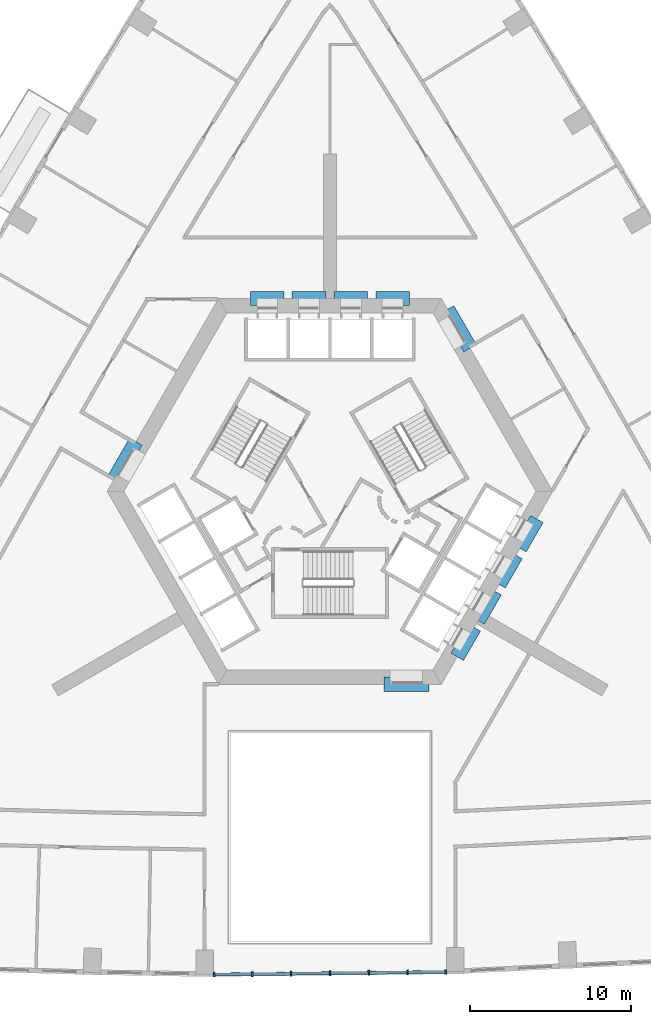
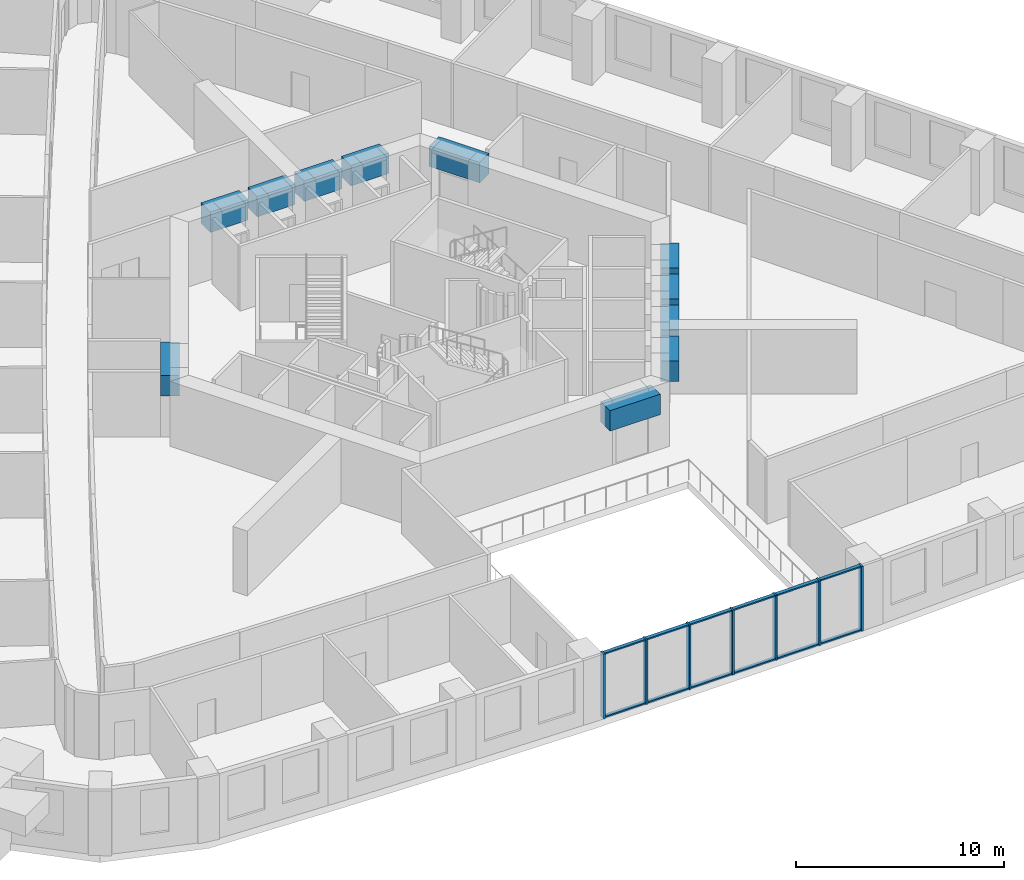
# One storey, part 2 of 15: 19 members, 11 beams, 1 element without a shape of its own.
"""IFC4 building model written with IfcOpenShell, lengths in metres."""

from ifc_helpers import new_model, si_unit, direction, frame, origin, origin_2d, place, context, subcontext, project, spatial, rectangle, extrude, material, material_profile, profile_set, type_object, element, aggregate, save


model = new_model("IFC4")

# Units and contexts
model_context = context("Model", 3, precision=1e-05, world=origin(), true_north=direction((0.0, 1.0)))
body_context = subcontext(model_context, "Body", "Model", "MODEL_VIEW")
ifc_project = project(units=[si_unit("LENGTHUNIT", "METRE"), si_unit("AREAUNIT", "SQUARE_METRE"), si_unit("VOLUMEUNIT", "CUBIC_METRE"), si_unit("PLANEANGLEUNIT", "RADIAN"), si_unit("MASSUNIT", "GRAM", prefix="KILO")], contexts=[model_context])

# Site, building, storey
site_placement = place(None, origin())
site = spatial("IfcSite", under=ifc_project, at=site_placement, CompositionType="ELEMENT")
building_placement = place(site_placement, origin())
building = spatial("IfcBuilding", under=site, at=building_placement, Name="Entoto Arch Interchange Tower", CompositionType="ELEMENT")
storey_placement = place(building_placement, frame((0.0, 0.0, 120.199951171875)))
storey = spatial("IfcBuildingStorey", under=building, at=storey_placement, Name="L26", CompositionType="ELEMENT", Elevation=120.199951171875)

# Beams
ifc_material_1 = material(Name="Concrete C60/75", Category="concrete")
ifc_material_profile_1 = material_profile(ifc_material_1, rectangle(XDim=0.89990234375, YDim=1.199951171875, at=origin_2d()))
ifc_profile_set_1 = profile_set([ifc_material_profile_1], Name="Concrete C60/75")
beam_type = type_object("IfcBeamType", Name="Coupling beam RC 900x1200 C60/75", PredefinedType="BEAM", material=ifc_profile_set_1)
beam_1_placement = place(storey_placement, frame((8.717041015625, 11.402099609375, 3.0), z_axis=(-0.500200581029, 0.865909567298, 0.0), x_axis=(-0.865909567298, -0.500200581029, 0.0)))
element("IfcBeam", 1, at=beam_1_placement, inside=storey, type_object=beam_type, Name="Coupling beam NE L26", PredefinedType="BEAM", context=body_context, shape_type="SweptSolid", body=[
    extrude(rectangle(XDim=0.89990234375, YDim=1.199951171875, at=origin_2d()), origin(), (0.0, 0.0, 1.0), 2.799072265625),
])
beam_2_placement = place(storey_placement, frame((4.949951171875, 14.5, 3.0), z_axis=(-1.0, 0.0, 0.0), x_axis=(0.0, -1.0, 0.0)))
element("IfcBeam", 2, at=beam_2_placement, inside=storey, type_object=beam_type, Name="Coupling beam N L26", PredefinedType="BEAM", context=body_context, shape_type="SweptSolid", body=[
    extrude(rectangle(XDim=0.89990234375, YDim=1.199951171875, at=origin_2d()), origin(), (0.0, 0.0, 1.0), 2.099853515625),
])
for number, where, z_axis, x_axis, name in (
    (3, (2.35009765625, 14.5, 3.0), (-1.0, 0.0, 0.0), (0.0, -1.0, 0.0), "Coupling beam N L26"),
    (4, (-0.25, 14.5, 3.0), (-1.0, 0.0, 0.0), (0.0, -1.0, 0.0), "Coupling beam N L26"),
):
    element("IfcBeam", number, at=place(storey_placement, frame(where, z_axis=z_axis, x_axis=x_axis)), inside=storey, type_object=beam_type, Name=name, PredefinedType="BEAM", context=body_context, shape_type="SweptSolid", body=[
        extrude(rectangle(XDim=0.89990234375, YDim=1.199951171875, at=origin_2d()), origin(), (0.0, 0.0, 1.0), 2.10009765625),
    ])
beam_3_placement = place(storey_placement, frame((-2.85009765625, 14.5, 3.0), z_axis=(-1.0, 0.0, 0.0), x_axis=(0.0, -1.0, 0.0)))
element("IfcBeam", 5, at=beam_3_placement, inside=storey, type_object=beam_type, Name="Coupling beam N L26", PredefinedType="BEAM", context=body_context, shape_type="SweptSolid", body=[
    extrude(rectangle(XDim=0.89990234375, YDim=1.199951171875, at=origin_2d()), origin(), (0.0, 0.0, 1.0), 2.099853515625),
])
beam_4_placement = place(storey_placement, frame((-12.06689453125, 5.597900390625, 3.0), z_axis=(-0.500200581029, -0.865909567298, 0.0), x_axis=(0.865909567298, -0.500200581029, 0.0)))
element("IfcBeam", 6, at=beam_4_placement, inside=storey, type_object=beam_type, Name="Coupling beam NW L26", PredefinedType="BEAM", context=body_context, shape_type="SweptSolid", body=[
    extrude(rectangle(XDim=0.89990234375, YDim=1.199951171875, at=origin_2d()), origin(), (0.0, 0.0, 1.0), 2.799072265625),
])
beam_5_placement = place(storey_placement, frame((3.35009765625, -9.5, 3.0), z_axis=(1.0, 0.0, 0.0), x_axis=(0.0, 1.0, 0.0)))
element("IfcBeam", 7, at=beam_5_placement, inside=storey, type_object=beam_type, Name="Coupling beam S L26", PredefinedType="BEAM", context=body_context, shape_type="SweptSolid", body=[
    extrude(rectangle(XDim=0.89990234375, YDim=1.199951171875, at=origin_2d()), origin(), (0.0, 0.0, 1.0), 2.7998046875),
])
for number, where, z_axis, x_axis, name in (
    (8, (7.9169921875, -7.785888671875, 3.0), (0.500178781653, 0.865922159541, 0.0), (-0.865922159541, 0.500178781653, 0.0), "Coupling beam SE L26"),
    (9, (9.217041015625, -5.534912109375, 3.0), (0.500178781653, 0.865922159541, 0.0), (-0.865922159541, 0.500178781653, 0.0), "Coupling beam SE L26"),
):
    element("IfcBeam", number, at=place(storey_placement, frame(where, z_axis=z_axis, x_axis=x_axis)), inside=storey, type_object=beam_type, Name=name, PredefinedType="BEAM", context=body_context, shape_type="SweptSolid", body=[
        extrude(rectangle(XDim=0.89990234375, YDim=1.199951171875, at=origin_2d()), origin(), (0.0, 0.0, 1.0), 2.099365234375),
    ])
beam_6_placement = place(storey_placement, frame((10.51708984375, -3.282958984375, 3.0), z_axis=(0.500091574638, 0.865972526687, 0.0), x_axis=(-0.865972526687, 0.500091574638, 0.0)))
element("IfcBeam", 10, at=beam_6_placement, inside=storey, type_object=beam_type, Name="Coupling beam SE L26", PredefinedType="BEAM", context=body_context, shape_type="SweptSolid", body=[
    extrude(rectangle(XDim=0.89990234375, YDim=1.199951171875, at=origin_2d()), origin(), (0.0, 0.0, 1.0), 2.09912109375),
])
beam_7_placement = place(storey_placement, frame((11.81689453125, -1.031982421875, 3.0), z_axis=(0.500178781653, 0.865922159541, 0.0), x_axis=(-0.865922159541, 0.500178781653, 0.0)))
element("IfcBeam", 11, at=beam_7_placement, inside=storey, type_object=beam_type, Name="Coupling beam SE L26", PredefinedType="BEAM", context=body_context, shape_type="SweptSolid", body=[
    extrude(rectangle(XDim=0.89990234375, YDim=1.199951171875, at=origin_2d()), origin(), (0.0, 0.0, 1.0), 2.099365234375),
])

# Curtain wall, members
ifc_material_2 = material(Name="Aluminium, anodised", Category="aluminium")
curtain_wall_type = type_object("IfcCurtainWallType", Name="CURTAIN WALL ATRIUM", PredefinedType="NOTDEFINED", material=ifc_material_2)
curtain_wall_placement = place(storey_placement, origin())
curtain_wall = element("IfcCurtainWall", 12, at=curtain_wall_placement, inside=storey, type_object=curtain_wall_type, Name="Atrium glazing S-04 L26", PredefinedType="NOTDEFINED")
ifc_material_profile_2 = material_profile(ifc_material_2, rectangle(XDim=0.300048828125, YDim=0.10009765625, at=origin_2d()))
ifc_profile_set_2 = profile_set([ifc_material_profile_2], Name="Aluminium, anodised")
member_type_1 = type_object("IfcMemberType", Name="MULLION ATRIUM 100x300", PredefinedType="MULLION", material=ifc_profile_set_2)
member_1_placement = place(storey_placement, frame((-7.199951171875, -27.550537109375, 0.0), z_axis=(0.0, 0.0, 1.0), x_axis=(-0.011033811041, 0.999939125654, 0.0)))
member_1 = element("IfcMember", 13, at=member_1_placement, type_object=member_type_1, Name="CWA mullion 1", PredefinedType="MULLION", context=body_context, shape_type="SweptSolid", body=[
    extrude(rectangle(XDim=0.300048828125, YDim=0.10009765625, at=origin_2d()), origin(), (0.0, 0.0, 1.0), 3.800048828125),
])
member_2_placement = place(storey_placement, frame((-4.833251953125, -27.5244140625, 0.0), z_axis=(0.0, 0.0, 1.0), x_axis=(-0.011033811041, 0.999939125654, 0.0)))
member_2 = element("IfcMember", 14, at=member_2_placement, type_object=member_type_1, Name="CWA mullion 2", PredefinedType="MULLION", context=body_context, shape_type="SweptSolid", body=[
    extrude(rectangle(XDim=0.300048828125, YDim=0.10009765625, at=origin_2d()), origin(), (0.0, 0.0, 1.0), 3.800048828125),
])
member_3_placement = place(storey_placement, frame((-2.416748046875, -27.49755859375, 0.0), z_axis=(0.0, 0.0, 1.0), x_axis=(-0.011033811041, 0.999939125654, 0.0)))
member_3 = element("IfcMember", 15, at=member_3_placement, type_object=member_type_1, Name="CWA mullion 3", PredefinedType="MULLION", context=body_context, shape_type="SweptSolid", body=[
    extrude(rectangle(XDim=0.300048828125, YDim=0.10009765625, at=origin_2d()), origin(), (0.0, 0.0, 1.0), 3.800048828125),
])
member_4_placement = place(storey_placement, frame((0.0, -27.470947265625, 0.0), z_axis=(0.0, 0.0, 1.0), x_axis=(-0.011033811041, 0.999939125654, 0.0)))
member_4 = element("IfcMember", 16, at=member_4_placement, type_object=member_type_1, Name="CWA mullion 4", PredefinedType="MULLION", context=body_context, shape_type="SweptSolid", body=[
    extrude(rectangle(XDim=0.300048828125, YDim=0.10009765625, at=origin_2d()), origin(), (0.0, 0.0, 1.0), 3.800048828125),
])
member_5_placement = place(storey_placement, frame((2.416748046875, -27.4443359375, 0.0), z_axis=(0.0, 0.0, 1.0), x_axis=(-0.011033811041, 0.999939125654, 0.0)))
member_5 = element("IfcMember", 17, at=member_5_placement, type_object=member_type_1, Name="CWA mullion 5", PredefinedType="MULLION", context=body_context, shape_type="SweptSolid", body=[
    extrude(rectangle(XDim=0.300048828125, YDim=0.10009765625, at=origin_2d()), origin(), (0.0, 0.0, 1.0), 3.800048828125),
])
member_6_placement = place(storey_placement, frame((4.833251953125, -27.417724609375, 0.0), z_axis=(0.0, 0.0, 1.0), x_axis=(-0.011033811041, 0.999939125654, 0.0)))
member_6 = element("IfcMember", 18, at=member_6_placement, type_object=member_type_1, Name="CWA mullion 6", PredefinedType="MULLION", context=body_context, shape_type="SweptSolid", body=[
    extrude(rectangle(XDim=0.300048828125, YDim=0.10009765625, at=origin_2d()), origin(), (0.0, 0.0, 1.0), 3.800048828125),
])
member_7_placement = place(storey_placement, frame((7.199951171875, -27.3916015625, 0.0), z_axis=(0.0, 0.0, 1.0), x_axis=(-0.011033811041, 0.999939125654, 0.0)))
member_7 = element("IfcMember", 19, at=member_7_placement, type_object=member_type_1, Name="CWA mullion 7", PredefinedType="MULLION", context=body_context, shape_type="SweptSolid", body=[
    extrude(rectangle(XDim=0.300048828125, YDim=0.10009765625, at=origin_2d()), origin(), (0.0, 0.0, 1.0), 3.800048828125),
])
ifc_material_profile_3 = material_profile(ifc_material_2, rectangle(XDim=0.199951171875, YDim=0.080078125, at=origin_2d()))
ifc_profile_set_3 = profile_set([ifc_material_profile_3], Name="Aluminium, anodised")
member_type_2 = type_object("IfcMemberType", Name="TRANSOM ATRIUM 80x200", PredefinedType="USERDEFINED", material=ifc_profile_set_3)
member_8_placement = place(storey_placement, frame((-7.14990234375, -27.5498046875, 0.0400390625), z_axis=(0.999939652293, 0.010985980669, 0.0), x_axis=(-0.010985980669, 0.999939652293, 0.0)))
member_8 = element("IfcMember", 20, at=member_8_placement, type_object=member_type_2, Name="CWA transom 1.1", ObjectType="TRANSOM", PredefinedType="USERDEFINED", context=body_context, shape_type="SweptSolid", body=[
    extrude(rectangle(XDim=0.199951171875, YDim=0.080078125, at=origin_2d()), origin(), (0.0, 0.0, 1.0), 2.266845703125),
])
member_9_placement = place(storey_placement, frame((-7.14990234375, -27.5498046875, 3.760009765625), z_axis=(0.999939652293, 0.010985980669, 0.0), x_axis=(-0.010985980669, 0.999939652293, 0.0)))
member_9 = element("IfcMember", 21, at=member_9_placement, type_object=member_type_2, Name="CWA transom 1.2", ObjectType="TRANSOM", PredefinedType="USERDEFINED", context=body_context, shape_type="SweptSolid", body=[
    extrude(rectangle(XDim=0.199951171875, YDim=0.080078125, at=origin_2d()), origin(), (0.0, 0.0, 1.0), 2.266845703125),
])
member_10_placement = place(storey_placement, frame((-4.783447265625, -27.523681640625, 0.0400390625), z_axis=(0.999939956619, 0.0109582461, 0.0), x_axis=(-0.0109582461, 0.999939956619, 0.0)))
member_10 = element("IfcMember", 22, at=member_10_placement, type_object=member_type_2, Name="CWA transom 2.1", ObjectType="TRANSOM", PredefinedType="USERDEFINED", context=body_context, shape_type="SweptSolid", body=[
    extrude(rectangle(XDim=0.199951171875, YDim=0.080078125, at=origin_2d()), origin(), (0.0, 0.0, 1.0), 2.317138671875),
])
member_11_placement = place(storey_placement, frame((-4.783447265625, -27.523681640625, 3.760009765625), z_axis=(0.999939956619, 0.0109582461, 0.0), x_axis=(-0.0109582461, 0.999939956619, 0.0)))
member_11 = element("IfcMember", 23, at=member_11_placement, type_object=member_type_2, Name="CWA transom 2.2", ObjectType="TRANSOM", PredefinedType="USERDEFINED", context=body_context, shape_type="SweptSolid", body=[
    extrude(rectangle(XDim=0.199951171875, YDim=0.080078125, at=origin_2d()), origin(), (0.0, 0.0, 1.0), 2.317138671875),
])
member_12_placement = place(storey_placement, frame((-2.36669921875, -27.4970703125, 0.0400390625), z_axis=(0.999938783594, 0.011064766812, 0.0), x_axis=(-0.011064766812, 0.999938783594, 0.0)))
member_12 = element("IfcMember", 24, at=member_12_placement, type_object=member_type_2, Name="CWA transom 3.1", ObjectType="TRANSOM", PredefinedType="USERDEFINED", context=body_context, shape_type="SweptSolid", body=[
    extrude(rectangle(XDim=0.199951171875, YDim=0.080078125, at=origin_2d()), origin(), (0.0, 0.0, 1.0), 2.31689453125),
])
member_13_placement = place(storey_placement, frame((-2.36669921875, -27.4970703125, 3.760009765625), z_axis=(0.999938783594, 0.011064766812, 0.0), x_axis=(-0.011064766812, 0.999938783594, 0.0)))
member_13 = element("IfcMember", 25, at=member_13_placement, type_object=member_type_2, Name="CWA transom 3.2", ObjectType="TRANSOM", PredefinedType="USERDEFINED", context=body_context, shape_type="SweptSolid", body=[
    extrude(rectangle(XDim=0.199951171875, YDim=0.080078125, at=origin_2d()), origin(), (0.0, 0.0, 1.0), 2.31689453125),
])
member_14_placement = place(storey_placement, frame((0.050048828125, -27.470458984375, 0.0400390625), z_axis=(0.999938783594, 0.011064766812, 0.0), x_axis=(-0.011064766812, 0.999938783594, 0.0)))
member_14 = element("IfcMember", 26, at=member_14_placement, type_object=member_type_2, Name="CWA transom 4.1", ObjectType="TRANSOM", PredefinedType="USERDEFINED", context=body_context, shape_type="SweptSolid", body=[
    extrude(rectangle(XDim=0.199951171875, YDim=0.080078125, at=origin_2d()), origin(), (0.0, 0.0, 1.0), 2.31689453125),
])
member_15_placement = place(storey_placement, frame((0.050048828125, -27.470458984375, 3.760009765625), z_axis=(0.999938783594, 0.011064766812, 0.0), x_axis=(-0.011064766812, 0.999938783594, 0.0)))
member_15 = element("IfcMember", 27, at=member_15_placement, type_object=member_type_2, Name="CWA transom 4.2", ObjectType="TRANSOM", PredefinedType="USERDEFINED", context=body_context, shape_type="SweptSolid", body=[
    extrude(rectangle(XDim=0.199951171875, YDim=0.080078125, at=origin_2d()), origin(), (0.0, 0.0, 1.0), 2.31689453125),
])
member_16_placement = place(storey_placement, frame((2.466552734375, -27.44384765625, 0.0400390625), z_axis=(0.999938796493, 0.011063601015, 0.0), x_axis=(-0.011063601015, 0.999938796493, 0.0)))
member_16 = element("IfcMember", 28, at=member_16_placement, type_object=member_type_2, Name="CWA transom 5.1", ObjectType="TRANSOM", PredefinedType="USERDEFINED", context=body_context, shape_type="SweptSolid", body=[
    extrude(rectangle(XDim=0.199951171875, YDim=0.080078125, at=origin_2d()), origin(), (0.0, 0.0, 1.0), 2.317138671875),
])
member_17_placement = place(storey_placement, frame((2.466552734375, -27.44384765625, 3.760009765625), z_axis=(0.999938796493, 0.011063601015, 0.0), x_axis=(-0.011063601015, 0.999938796493, 0.0)))
member_17 = element("IfcMember", 29, at=member_17_placement, type_object=member_type_2, Name="CWA transom 5.2", ObjectType="TRANSOM", PredefinedType="USERDEFINED", context=body_context, shape_type="SweptSolid", body=[
    extrude(rectangle(XDim=0.199951171875, YDim=0.080078125, at=origin_2d()), origin(), (0.0, 0.0, 1.0), 2.317138671875),
])
member_18_placement = place(storey_placement, frame((4.88330078125, -27.417236328125, 0.0400390625), z_axis=(0.999938463314, 0.011093673171, 0.0), x_axis=(-0.011093673171, 0.999938463314, 0.0)))
member_18 = element("IfcMember", 30, at=member_18_placement, type_object=member_type_2, Name="CWA transom 6.1", ObjectType="TRANSOM", PredefinedType="USERDEFINED", context=body_context, shape_type="SweptSolid", body=[
    extrude(rectangle(XDim=0.199951171875, YDim=0.080078125, at=origin_2d()), origin(), (0.0, 0.0, 1.0), 2.266845703125),
])
member_19_placement = place(storey_placement, frame((4.88330078125, -27.417236328125, 3.760009765625), z_axis=(0.999938463314, 0.011093673171, 0.0), x_axis=(-0.011093673171, 0.999938463314, 0.0)))
member_19 = element("IfcMember", 31, at=member_19_placement, type_object=member_type_2, Name="CWA transom 6.2", ObjectType="TRANSOM", PredefinedType="USERDEFINED", context=body_context, shape_type="SweptSolid", body=[
    extrude(rectangle(XDim=0.199951171875, YDim=0.080078125, at=origin_2d()), origin(), (0.0, 0.0, 1.0), 2.266845703125),
])
aggregate(curtain_wall, [member_1, member_2, member_3, member_4, member_5, member_6, member_7, member_8, member_9, member_10, member_11, member_12, member_13, member_14, member_15, member_16, member_17, member_18, member_19])

save(model, "model.ifc")
